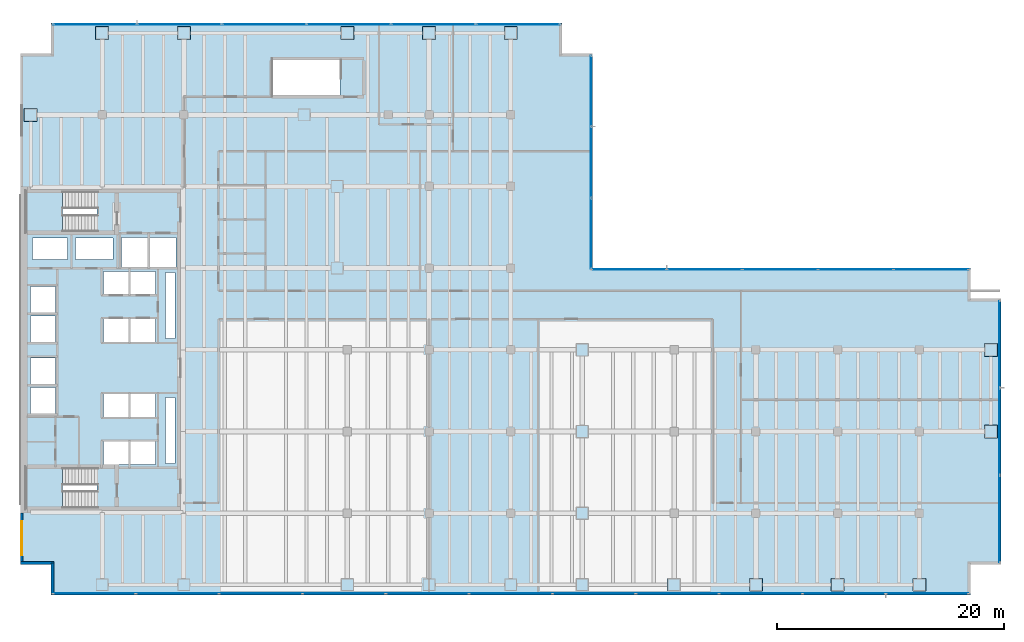
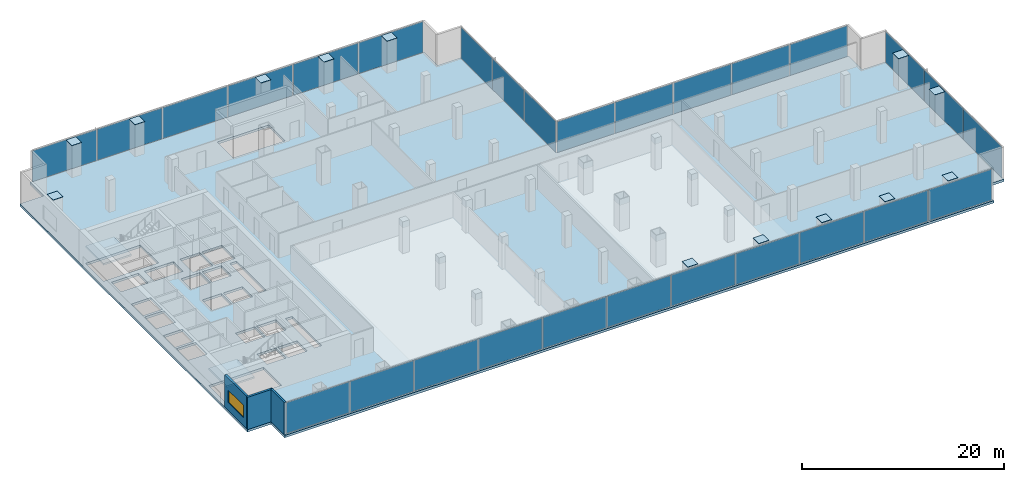
# One storey, part 21 of 32: 41 plates, 3 slabs, 3 walls, 1 window, 22 openings, 7 elements without a shape of their own.
"""IFC4 building model written with IfcOpenShell, lengths in metres."""

from ifc_helpers import new_model, si_unit, direction, frame, frame_2d, origin, origin_2d, place, context, subcontext, project, spatial, polyline, rectangle, outline, extrude, material, layer, layer_set, type_object, element, fill, aggregate, save


model = new_model("IFC4")

# Units and contexts
model_context = context("Model", 3, precision=1e-05, world=origin(), true_north=direction((0.0, 1.0)))
body_context = subcontext(model_context, "Body", "Model", "MODEL_VIEW")
ifc_project = project(units=[si_unit("LENGTHUNIT", "METRE"), si_unit("AREAUNIT", "SQUARE_METRE"), si_unit("VOLUMEUNIT", "CUBIC_METRE"), si_unit("PLANEANGLEUNIT", "RADIAN"), si_unit("MASSUNIT", "GRAM", prefix="KILO")], contexts=[model_context])

# Site, building, storey
site_placement = place(None, origin())
site = spatial("IfcSite", under=ifc_project, at=site_placement, CompositionType="ELEMENT")
building_placement = place(site_placement, origin())
building = spatial("IfcBuilding", under=site, at=building_placement, Name="Cobrela Telecom Tower", CompositionType="ELEMENT")
storey_placement = place(building_placement, frame((0.0, 0.0, 22.050048828125)))
storey = spatial("IfcBuildingStorey", under=building, at=storey_placement, Name="L05", CompositionType="ELEMENT", Elevation=22.050048828125)

# Curtain wall, plates
ifc_material_1 = material(Name="Anodized Bronze Aluminium 6063-T6", Category="aluminium")
curtain_wall_type = type_object("IfcCurtainWallType", Name="CW-SYS-CONC", PredefinedType="USERDEFINED", material=ifc_material_1)
curtain_wall_1_placement = place(storey_placement, origin())
curtain_wall_1 = element("IfcCurtainWall", 1, at=curtain_wall_1_placement, inside=storey, type_object=curtain_wall_type, Name="L05 Unitised Bronze Curtain Wall 07", ObjectType="UNITISED CURTAIN WALL", PredefinedType="USERDEFINED")
ifc_material_2 = material(Name="Solar-Control Bronze Low-E Glass", Category="glass")
ifc_layer_1 = layer(ifc_material_2, 0.0419921875)
ifc_layer_set_1 = layer_set([ifc_layer_1], Name="Solar-Control Bronze Low-E Glass")
plate_type_1 = type_object("IfcPlateType", Name="CW-SYS-CONC-PNL", PredefinedType="CURTAIN_PANEL", material=ifc_layer_set_1)
plate_1_placement = place(storey_placement, frame((6.570068359375, 50.280029296875, 0.080078125), z_axis=(0.0, 0.0, 1.0), x_axis=(1.0, 0.0, 0.0)))
plate_1 = element("IfcPlate", 2, at=plate_1_placement, type_object=plate_type_1, Name="CW-CONC panel 1.1", PredefinedType="CURTAIN_PANEL", context=body_context, shape_type="SweptSolid", body=[
    extrude(rectangle(XDim=7.340087890625, YDim=0.0419921875, at=origin_2d()), origin(), (0.0, 0.0, 1.0), 3.739990234375),
])
plate_2_placement = place(storey_placement, frame((14.010009765625, 50.280029296875, 0.080078125), z_axis=(0.0, 0.0, 1.0), x_axis=(1.0, 0.0, 0.0)))
plate_2 = element("IfcPlate", 3, at=plate_2_placement, type_object=plate_type_1, Name="CW-CONC panel 2.1", PredefinedType="CURTAIN_PANEL", context=body_context, shape_type="SweptSolid", body=[
    extrude(rectangle(XDim=7.3798828125, YDim=0.0419921875, at=origin_2d()), origin(), (0.0, 0.0, 1.0), 3.739990234375),
])
plate_3_placement = place(storey_placement, frame((21.469970703125, 50.280029296875, 0.080078125), z_axis=(0.0, 0.0, 1.0), x_axis=(1.0, 0.0, 0.0)))
plate_3 = element("IfcPlate", 4, at=plate_3_placement, type_object=plate_type_1, Name="CW-CONC panel 3.1", PredefinedType="CURTAIN_PANEL", context=body_context, shape_type="SweptSolid", body=[
    extrude(rectangle(XDim=7.3798828125, YDim=0.0419921875, at=origin_2d()), origin(), (0.0, 0.0, 1.0), 3.739990234375),
])
plate_4_placement = place(storey_placement, frame((28.929931640625, 50.280029296875, 0.080078125), z_axis=(0.0, 0.0, 1.0), x_axis=(1.0, 0.0, 0.0)))
plate_4 = element("IfcPlate", 5, at=plate_4_placement, type_object=plate_type_1, Name="CW-CONC panel 4.1", PredefinedType="CURTAIN_PANEL", context=body_context, shape_type="SweptSolid", body=[
    extrude(rectangle(XDim=7.3798828125, YDim=0.0419921875, at=origin_2d()), origin(), (0.0, 0.0, 1.0), 3.739990234375),
])
plate_5_placement = place(storey_placement, frame((36.389892578125, 50.280029296875, 0.080078125), z_axis=(0.0, 0.0, 1.0), x_axis=(1.0, 0.0, 0.0)))
plate_5 = element("IfcPlate", 6, at=plate_5_placement, type_object=plate_type_1, Name="CW-CONC panel 5.1", PredefinedType="CURTAIN_PANEL", context=body_context, shape_type="SweptSolid", body=[
    extrude(rectangle(XDim=7.3798828125, YDim=0.0419921875, at=origin_2d()), origin(), (0.0, 0.0, 1.0), 3.739990234375),
])
plate_6_placement = place(storey_placement, frame((43.830078125, 50.280029296875, 0.080078125), z_axis=(0.0, 0.0, 1.0), x_axis=(1.0, 0.0, 0.0)))
plate_6 = element("IfcPlate", 7, at=plate_6_placement, type_object=plate_type_1, Name="CW-CONC panel 6.1", PredefinedType="CURTAIN_PANEL", context=body_context, shape_type="SweptSolid", body=[
    extrude(rectangle(XDim=7.340087890625, YDim=0.0419921875, at=origin_2d()), origin(), (0.0, 0.0, 1.0), 3.739990234375),
])
aggregate(curtain_wall_1, [plate_1, plate_2, plate_3, plate_4, plate_5, plate_6])

curtain_wall_2_placement = place(storey_placement, origin())
curtain_wall_2 = element("IfcCurtainWall", 8, at=curtain_wall_2_placement, inside=storey, type_object=curtain_wall_type, Name="L05 Unitised Bronze Curtain Wall 10", ObjectType="UNITISED CURTAIN WALL", PredefinedType="USERDEFINED")
plate_7_placement = place(storey_placement, frame((50.280029296875, 44.409912109375, 0.080078125), z_axis=(0.0, 0.0, 1.0), x_axis=(0.0, -1.0, 0.0)))
plate_7 = element("IfcPlate", 9, at=plate_7_placement, type_object=plate_type_1, Name="CW-CONC panel 1.1", PredefinedType="CURTAIN_PANEL", context=body_context, shape_type="SweptSolid", body=[
    extrude(rectangle(XDim=6.179931640625, YDim=0.0419921875, at=origin_2d()), origin(), (0.0, 0.0, 1.0), 3.739990234375),
])
plate_8_placement = place(storey_placement, frame((50.280029296875, 38.1298828125, 0.080078125), z_axis=(0.0, 0.0, 1.0), x_axis=(0.0, -1.0, 0.0)))
plate_8 = element("IfcPlate", 10, at=plate_8_placement, type_object=plate_type_1, Name="CW-CONC panel 2.1", PredefinedType="CURTAIN_PANEL", context=body_context, shape_type="SweptSolid", body=[
    extrude(rectangle(XDim=6.219970703125, YDim=0.0419921875, at=origin_2d()), origin(), (0.0, 0.0, 1.0), 3.739990234375),
])
plate_9_placement = place(storey_placement, frame((50.280029296875, 31.85009765625, 0.080078125), z_axis=(0.0, 0.0, 1.0), x_axis=(0.0, -1.0, 0.0)))
plate_9 = element("IfcPlate", 11, at=plate_9_placement, type_object=plate_type_1, Name="CW-CONC panel 3.1", PredefinedType="CURTAIN_PANEL", context=body_context, shape_type="SweptSolid", body=[
    extrude(rectangle(XDim=6.179931640625, YDim=0.0419921875, at=origin_2d()), origin(), (0.0, 0.0, 1.0), 3.739990234375),
])
aggregate(curtain_wall_2, [plate_7, plate_8, plate_9])

curtain_wall_3_placement = place(storey_placement, origin())
curtain_wall_3 = element("IfcCurtainWall", 12, at=curtain_wall_3_placement, inside=storey, type_object=curtain_wall_type, Name="L05 Unitised Bronze Curtain Wall 11", ObjectType="UNITISED CURTAIN WALL", PredefinedType="USERDEFINED")
plate_10_placement = place(storey_placement, frame((53.6298828125, 28.679931640625, 0.080078125), z_axis=(0.0, 0.0, 1.0), x_axis=(1.0, 0.0, 0.0)))
plate_10 = element("IfcPlate", 13, at=plate_10_placement, type_object=plate_type_1, Name="CW-CONC panel 1.1", PredefinedType="CURTAIN_PANEL", context=body_context, shape_type="SweptSolid", body=[
    extrude(rectangle(XDim=6.5400390625, YDim=0.0419921875, at=origin_2d()), origin(), (0.0, 0.0, 1.0), 3.739990234375),
])
plate_11_placement = place(storey_placement, frame((60.27001953125, 28.679931640625, 0.080078125), z_axis=(0.0, 0.0, 1.0), x_axis=(1.0, 0.0, 0.0)))
plate_11 = element("IfcPlate", 14, at=plate_11_placement, type_object=plate_type_1, Name="CW-CONC panel 2.1", PredefinedType="CURTAIN_PANEL", context=body_context, shape_type="SweptSolid", body=[
    extrude(rectangle(XDim=6.580078125, YDim=0.0419921875, at=origin_2d()), origin(), (0.0, 0.0, 1.0), 3.739990234375),
])
plate_12_placement = place(storey_placement, frame((66.929931640625, 28.679931640625, 0.080078125), z_axis=(0.0, 0.0, 1.0), x_axis=(1.0, 0.0, 0.0)))
plate_12 = element("IfcPlate", 15, at=plate_12_placement, type_object=plate_type_1, Name="CW-CONC panel 3.1", PredefinedType="CURTAIN_PANEL", context=body_context, shape_type="SweptSolid", body=[
    extrude(rectangle(XDim=6.580078125, YDim=0.0419921875, at=origin_2d()), origin(), (0.0, 0.0, 1.0), 3.739990234375),
])
plate_13_placement = place(storey_placement, frame((73.590087890625, 28.679931640625, 0.080078125), z_axis=(0.0, 0.0, 1.0), x_axis=(1.0, 0.0, 0.0)))
plate_13 = element("IfcPlate", 16, at=plate_13_placement, type_object=plate_type_1, Name="CW-CONC panel 4.1", PredefinedType="CURTAIN_PANEL", context=body_context, shape_type="SweptSolid", body=[
    extrude(rectangle(XDim=6.580078125, YDim=0.0419921875, at=origin_2d()), origin(), (0.0, 0.0, 1.0), 3.739990234375),
])
plate_14_placement = place(storey_placement, frame((80.22998046875, 28.679931640625, 0.080078125), z_axis=(0.0, 0.0, 1.0), x_axis=(1.0, 0.0, 0.0)))
plate_14 = element("IfcPlate", 17, at=plate_14_placement, type_object=plate_type_1, Name="CW-CONC panel 5.1", PredefinedType="CURTAIN_PANEL", context=body_context, shape_type="SweptSolid", body=[
    extrude(rectangle(XDim=6.5400390625, YDim=0.0419921875, at=origin_2d()), origin(), (0.0, 0.0, 1.0), 3.739990234375),
])
aggregate(curtain_wall_3, [plate_10, plate_11, plate_12, plate_13, plate_14])

curtain_wall_4_placement = place(storey_placement, origin())
curtain_wall_4 = element("IfcCurtainWall", 18, at=curtain_wall_4_placement, inside=storey, type_object=curtain_wall_type, Name="L05 Unitised Bronze Curtain Wall 14", ObjectType="UNITISED CURTAIN WALL", PredefinedType="USERDEFINED")
plate_15_placement = place(storey_placement, frame((86.280029296875, 22.10009765625, 0.080078125), z_axis=(0.0, 0.0, 1.0), x_axis=(0.0, -1.0, 0.0)))
plate_15 = element("IfcPlate", 19, at=plate_15_placement, type_object=plate_type_1, Name="CW-CONC panel 1.1", PredefinedType="CURTAIN_PANEL", context=body_context, shape_type="SweptSolid", body=[
    extrude(rectangle(XDim=7.60009765625, YDim=0.0419921875, at=origin_2d()), origin(), (0.0, 0.0, 1.0), 3.739990234375),
])
plate_16_placement = place(storey_placement, frame((86.280029296875, 14.39990234375, 0.080078125), z_axis=(0.0, 0.0, 1.0), x_axis=(0.0, -1.0, 0.0)))
plate_16 = element("IfcPlate", 20, at=plate_16_placement, type_object=plate_type_1, Name="CW-CONC panel 2.1", PredefinedType="CURTAIN_PANEL", context=body_context, shape_type="SweptSolid", body=[
    extrude(rectangle(XDim=7.639892578125, YDim=0.0419921875, at=origin_2d()), origin(), (0.0, 0.0, 1.0), 3.739990234375),
])
plate_17_placement = place(storey_placement, frame((86.280029296875, 6.699951171875, 0.080078125), z_axis=(0.0, 0.0, 1.0), x_axis=(0.0, -1.0, 0.0)))
plate_17 = element("IfcPlate", 21, at=plate_17_placement, type_object=plate_type_1, Name="CW-CONC panel 3.1", PredefinedType="CURTAIN_PANEL", context=body_context, shape_type="SweptSolid", body=[
    extrude(rectangle(XDim=7.60009765625, YDim=0.0419921875, at=origin_2d()), origin(), (0.0, 0.0, 1.0), 3.739990234375),
])
aggregate(curtain_wall_4, [plate_15, plate_16, plate_17])

curtain_wall_5_placement = place(storey_placement, origin())
curtain_wall_5 = element("IfcCurtainWall", 22, at=curtain_wall_5_placement, inside=storey, type_object=curtain_wall_type, Name="L05 Unitised Bronze Curtain Wall 17", ObjectType="UNITISED CURTAIN WALL", PredefinedType="USERDEFINED")
plate_18_placement = place(storey_placement, frame((79.88916015625, 0.1201171875, 0.080078125), z_axis=(0.0, 0.0, 1.0), x_axis=(-1.0, 0.0, 0.0)))
plate_18 = element("IfcPlate", 23, at=plate_18_placement, type_object=plate_type_1, Name="CW-CONC panel 1.1", PredefinedType="CURTAIN_PANEL", context=body_context, shape_type="SweptSolid", body=[
    extrude(rectangle(XDim=7.221923828125, YDim=0.0419921875, at=origin_2d()), origin(), (0.0, 0.0, 1.0), 3.739990234375),
])
plate_19_placement = place(storey_placement, frame((72.5673828125, 0.1201171875, 0.080078125), z_axis=(0.0, 0.0, 1.0), x_axis=(-1.0, 0.0, 0.0)))
plate_19 = element("IfcPlate", 24, at=plate_19_placement, type_object=plate_type_1, Name="CW-CONC panel 2.1", PredefinedType="CURTAIN_PANEL", context=body_context, shape_type="SweptSolid", body=[
    extrude(rectangle(XDim=7.26171875, YDim=0.0419921875, at=origin_2d()), origin(), (0.0, 0.0, 1.0), 3.739990234375),
])
plate_20_placement = place(storey_placement, frame((65.225341796875, 0.1201171875, 0.080078125), z_axis=(0.0, 0.0, 1.0), x_axis=(-1.0, 0.0, 0.0)))
plate_20 = element("IfcPlate", 25, at=plate_20_placement, type_object=plate_type_1, Name="CW-CONC panel 3.1", PredefinedType="CURTAIN_PANEL", context=body_context, shape_type="SweptSolid", body=[
    extrude(rectangle(XDim=7.26171875, YDim=0.0419921875, at=origin_2d()), origin(), (0.0, 0.0, 1.0), 3.739990234375),
])
plate_21_placement = place(storey_placement, frame((57.883544921875, 0.1201171875, 0.080078125), z_axis=(0.0, 0.0, 1.0), x_axis=(-1.0, 0.0, 0.0)))
plate_21 = element("IfcPlate", 26, at=plate_21_placement, type_object=plate_type_1, Name="CW-CONC panel 4.1", PredefinedType="CURTAIN_PANEL", context=body_context, shape_type="SweptSolid", body=[
    extrude(rectangle(XDim=7.26171875, YDim=0.0419921875, at=origin_2d()), origin(), (0.0, 0.0, 1.0), 3.739990234375),
])
plate_22_placement = place(storey_placement, frame((50.541748046875, 0.1201171875, 0.080078125), z_axis=(0.0, 0.0, 1.0), x_axis=(-1.0, 0.0, 0.0)))
plate_22 = element("IfcPlate", 27, at=plate_22_placement, type_object=plate_type_1, Name="CW-CONC panel 5.1", PredefinedType="CURTAIN_PANEL", context=body_context, shape_type="SweptSolid", body=[
    extrude(rectangle(XDim=7.26171875, YDim=0.0419921875, at=origin_2d()), origin(), (0.0, 0.0, 1.0), 3.739990234375),
])
plate_23_placement = place(storey_placement, frame((43.199951171875, 0.1201171875, 0.080078125), z_axis=(0.0, 0.0, 1.0), x_axis=(-1.0, 0.0, 0.0)))
plate_23 = element("IfcPlate", 28, at=plate_23_placement, type_object=plate_type_1, Name="CW-CONC panel 6.1", PredefinedType="CURTAIN_PANEL", context=body_context, shape_type="SweptSolid", body=[
    extrude(rectangle(XDim=7.26171875, YDim=0.0419921875, at=origin_2d()), origin(), (0.0, 0.0, 1.0), 3.739990234375),
])
plate_24_placement = place(storey_placement, frame((35.858154296875, 0.1201171875, 0.080078125), z_axis=(0.0, 0.0, 1.0), x_axis=(-1.0, 0.0, 0.0)))
plate_24 = element("IfcPlate", 29, at=plate_24_placement, type_object=plate_type_1, Name="CW-CONC panel 7.1", PredefinedType="CURTAIN_PANEL", context=body_context, shape_type="SweptSolid", body=[
    extrude(rectangle(XDim=7.26171875, YDim=0.0419921875, at=origin_2d()), origin(), (0.0, 0.0, 1.0), 3.739990234375),
])
plate_25_placement = place(storey_placement, frame((28.516357421875, 0.1201171875, 0.080078125), z_axis=(0.0, 0.0, 1.0), x_axis=(-1.0, 0.0, 0.0)))
plate_25 = element("IfcPlate", 30, at=plate_25_placement, type_object=plate_type_1, Name="CW-CONC panel 8.1", PredefinedType="CURTAIN_PANEL", context=body_context, shape_type="SweptSolid", body=[
    extrude(rectangle(XDim=7.26171875, YDim=0.0419921875, at=origin_2d()), origin(), (0.0, 0.0, 1.0), 3.739990234375),
])
plate_26_placement = place(storey_placement, frame((21.174560546875, 0.1201171875, 0.080078125), z_axis=(0.0, 0.0, 1.0), x_axis=(-1.0, 0.0, 0.0)))
plate_26 = element("IfcPlate", 31, at=plate_26_placement, type_object=plate_type_1, Name="CW-CONC panel 9.1", PredefinedType="CURTAIN_PANEL", context=body_context, shape_type="SweptSolid", body=[
    extrude(rectangle(XDim=7.26171875, YDim=0.0419921875, at=origin_2d()), origin(), (0.0, 0.0, 1.0), 3.739990234375),
])
plate_27_placement = place(storey_placement, frame((13.832763671875, 0.1201171875, 0.080078125), z_axis=(0.0, 0.0, 1.0), x_axis=(-1.0, 0.0, 0.0)))
plate_27 = element("IfcPlate", 32, at=plate_27_placement, type_object=plate_type_1, Name="CW-CONC panel 10.1", PredefinedType="CURTAIN_PANEL", context=body_context, shape_type="SweptSolid", body=[
    extrude(rectangle(XDim=7.26171875, YDim=0.0419921875, at=origin_2d()), origin(), (0.0, 0.0, 1.0), 3.739990234375),
])
plate_28_placement = place(storey_placement, frame((6.510986328125, 0.1201171875, 0.080078125), z_axis=(0.0, 0.0, 1.0), x_axis=(-1.0, 0.0, 0.0)))
plate_28 = element("IfcPlate", 33, at=plate_28_placement, type_object=plate_type_1, Name="CW-CONC panel 11.1", PredefinedType="CURTAIN_PANEL", context=body_context, shape_type="SweptSolid", body=[
    extrude(rectangle(XDim=7.221923828125, YDim=0.0419921875, at=origin_2d()), origin(), (0.0, 0.0, 1.0), 3.739990234375),
])
aggregate(curtain_wall_5, [plate_18, plate_19, plate_20, plate_21, plate_22, plate_23, plate_24, plate_25, plate_26, plate_27, plate_28])

# Plates
ifc_material_3 = material(Name="Steel ASTM A572 Grade 50", Category="steel")
ifc_layer_2 = layer(ifc_material_3, 0.044921875)
ifc_layer_set_2 = layer_set([ifc_layer_2], Name="Steel ASTM A572 Grade 50")
plate_type_2 = type_object("IfcPlateType", Name="PLT-END-CAP-45", PredefinedType="SHEET", material=ifc_layer_set_2)
for number, where, z_axis, x_axis, name in (
    (34, (0.89990234375, 42.300048828125, 3.8974609375), (0.0, 0.0, 1.0), (1.0, 0.0, 0.0), "L05 Mega-Column Top End Cap Plate 2"),
    (35, (7.199951171875, 49.5, 3.8974609375), (0.0, 0.0, 1.0), (1.0, 0.0, 0.0), "L05 Mega-Column Top End Cap Plate 3"),
    (36, (14.39990234375, 49.5, 3.8974609375), (0.0, 0.0, 1.0), (1.0, 0.0, 0.0), "L05 Mega-Column Top End Cap Plate 4"),
    (37, (28.800048828125, 49.5, 3.8974609375), (0.0, 0.0, 1.0), (1.0, 0.0, 0.0), "L05 Mega-Column Top End Cap Plate 5"),
    (38, (36.0, 49.5, 3.8974609375), (0.0, 0.0, 1.0), (1.0, 0.0, 0.0), "L05 Mega-Column Top End Cap Plate 6"),
    (39, (43.199951171875, 49.5, 3.8974609375), (0.0, 0.0, 1.0), (1.0, 0.0, 0.0), "L05 Mega-Column Top End Cap Plate 7"),
    (40, (49.5, 0.89990234375, 3.8974609375), (0.0, 0.0, 1.0), (1.0, 0.0, 0.0), "L05 Mega-Column Top End Cap Plate 8"),
    (41, (57.60009765625, 0.89990234375, 3.8974609375), (0.0, 0.0, 1.0), (1.0, 0.0, 0.0), "L05 Mega-Column Top End Cap Plate 9"),
    (42, (64.800048828125, 0.89990234375, 3.8974609375), (0.0, 0.0, 1.0), (1.0, 0.0, 0.0), "L05 Mega-Column Top End Cap Plate 10"),
    (43, (72.0, 0.89990234375, 3.8974609375), (0.0, 0.0, 1.0), (1.0, 0.0, 0.0), "L05 Mega-Column Top End Cap Plate 11"),
    (44, (79.199951171875, 0.89990234375, 3.8974609375), (0.0, 0.0, 1.0), (1.0, 0.0, 0.0), "L05 Mega-Column Top End Cap Plate 12"),
    (45, (85.5, 14.39990234375, 3.8974609375), (0.0, 0.0, 1.0), (1.0, 0.0, 0.0), "L05 Mega-Column Top End Cap Plate 13"),
    (46, (85.5, 21.60009765625, 3.8974609375), (0.0, 0.0, 1.0), (1.0, 0.0, 0.0), "L05 Mega-Column Top End Cap Plate 14"),
):
    element("IfcPlate", number, at=place(storey_placement, frame(where, z_axis=z_axis, x_axis=x_axis)), inside=storey, type_object=plate_type_2, Name=name, PredefinedType="SHEET", context=body_context, shape_type="SweptSolid", body=[
        extrude(rectangle(XDim=1.139892578125, YDim=1.139892578125, at=origin_2d()), origin(), (0.0, 0.0, 1.0), 0.044921875),
    ])

# Slab, openings
ifc_material_4 = material(Name="Concrete C40/50", Category="concrete")
ifc_layer_3 = layer(ifc_material_4, 0.2900390625)
ifc_layer_set_3 = layer_set([ifc_layer_3], Name="Concrete C40/50")
slab_type_1 = type_object("IfcSlabType", Name="SLAB-FLR-290", PredefinedType="FLOOR", material=ifc_layer_set_3)
slab_1_placement = place(storey_placement, frame((0.0, 0.0, -0.2900390625)))
slab_1 = element("IfcSlab", 47, at=slab_1_placement, inside=storey, type_object=slab_type_1, Name="L05 Structural Floor Slab", PredefinedType="FLOOR", context=body_context, shape_type="SweptSolid", body=[
    extrude(outline(polyline([(2.699951171875, 0.0), (83.699951171875, 0.0), (83.699951171875, 2.699951171875), (86.39990234375, 2.699951171875), (86.39990234375, 26.10009765625), (83.699951171875, 26.10009765625), (83.699951171875, 28.800048828125), (50.39990234375, 28.800048828125), (50.39990234375, 47.699951171875), (47.699951171875, 47.699951171875), (47.699951171875, 50.39990234375), (2.699951171875, 50.39990234375), (2.699951171875, 47.699951171875), (0.0, 47.699951171875), (0.0, 2.699951171875), (2.699951171875, 2.699951171875), (2.699951171875, 0.0)])), origin(), (0.0, 0.0, 1.0), 0.2900390625),
])
opening_1_placement = place(slab_1_placement, frame((0.0, 0.0, -0.02001953125)))
element("IfcOpeningElement", 48, at=opening_1_placement, cuts=slab_1, Name="Slab Shaft Opening SLAB-L05-MAIN.1", PredefinedType="OPENING", context=body_context, shape_type="SweptSolid", body=[
    extrude(outline(polyline([(8.89990234375, 28.89990234375), (11.199951171875, 28.89990234375), (11.199951171875, 31.5), (8.89990234375, 31.5), (8.89990234375, 28.89990234375)])), origin(), (0.0, 0.0, 1.0), 0.330078125),
])
opening_2_placement = place(slab_1_placement, frame((0.0, 0.0, -0.02001953125)))
element("IfcOpeningElement", 49, at=opening_2_placement, cuts=slab_1, Name="Slab Shaft Opening SLAB-L05-MAIN.2", PredefinedType="OPENING", context=body_context, shape_type="SweptSolid", body=[
    extrude(outline(polyline([(11.39990234375, 28.89990234375), (13.699951171875, 28.89990234375), (13.699951171875, 31.5), (11.39990234375, 31.5), (11.39990234375, 28.89990234375)])), origin(), (0.0, 0.0, 1.0), 0.330078125),
])
opening_3_placement = place(slab_1_placement, frame((0.0, 0.0, -0.02001953125)))
element("IfcOpeningElement", 50, at=opening_3_placement, cuts=slab_1, Name="Slab Shaft Opening SLAB-L05-MAIN.3", PredefinedType="OPENING", context=body_context, shape_type="SweptSolid", body=[
    extrude(outline(polyline([(7.300048828125, 22.300048828125), (9.5, 22.300048828125), (9.5, 24.300048828125), (7.300048828125, 24.300048828125), (7.300048828125, 22.300048828125)])), origin(), (0.0, 0.0, 1.0), 0.330078125),
])
opening_4_placement = place(slab_1_placement, frame((0.0, 0.0, -0.02001953125)))
element("IfcOpeningElement", 51, at=opening_4_placement, cuts=slab_1, Name="Slab Shaft Opening SLAB-L05-MAIN.4", PredefinedType="OPENING", context=body_context, shape_type="SweptSolid", body=[
    extrude(outline(polyline([(9.699951171875, 22.300048828125), (11.89990234375, 22.300048828125), (11.89990234375, 24.300048828125), (9.699951171875, 24.300048828125), (9.699951171875, 22.300048828125)])), origin(), (0.0, 0.0, 1.0), 0.330078125),
])
opening_5_placement = place(slab_1_placement, frame((0.0, 0.0, -0.02001953125)))
element("IfcOpeningElement", 52, at=opening_5_placement, cuts=slab_1, Name="Slab Shaft Opening SLAB-L05-MAIN.5", PredefinedType="OPENING", context=body_context, shape_type="SweptSolid", body=[
    extrude(outline(polyline([(7.300048828125, 26.5), (9.5, 26.5), (9.5, 28.5), (7.300048828125, 28.5), (7.300048828125, 26.5)])), origin(), (0.0, 0.0, 1.0), 0.330078125),
])
opening_6_placement = place(slab_1_placement, frame((0.0, 0.0, -0.02001953125)))
element("IfcOpeningElement", 53, at=opening_6_placement, cuts=slab_1, Name="Slab Shaft Opening SLAB-L05-MAIN.6", PredefinedType="OPENING", context=body_context, shape_type="SweptSolid", body=[
    extrude(outline(polyline([(9.699951171875, 26.5), (11.89990234375, 26.5), (11.89990234375, 28.5), (9.699951171875, 28.5), (9.699951171875, 26.5)])), origin(), (0.0, 0.0, 1.0), 0.330078125),
])
opening_7_placement = place(slab_1_placement, frame((0.0, 0.0, -0.02001953125)))
element("IfcOpeningElement", 54, at=opening_7_placement, cuts=slab_1, Name="Slab Shaft Opening SLAB-L05-MAIN.7", PredefinedType="OPENING", context=body_context, shape_type="SweptSolid", body=[
    extrude(outline(polyline([(7.300048828125, 15.699951171875), (9.5, 15.699951171875), (9.5, 17.699951171875), (7.300048828125, 17.699951171875), (7.300048828125, 15.699951171875)])), origin(), (0.0, 0.0, 1.0), 0.330078125),
])
opening_8_placement = place(slab_1_placement, frame((0.0, 0.0, -0.02001953125)))
element("IfcOpeningElement", 55, at=opening_8_placement, cuts=slab_1, Name="Slab Shaft Opening SLAB-L05-MAIN.8", PredefinedType="OPENING", context=body_context, shape_type="SweptSolid", body=[
    extrude(outline(polyline([(9.699951171875, 15.699951171875), (11.89990234375, 15.699951171875), (11.89990234375, 17.699951171875), (9.699951171875, 17.699951171875), (9.699951171875, 15.699951171875)])), origin(), (0.0, 0.0, 1.0), 0.330078125),
])
opening_9_placement = place(slab_1_placement, frame((0.0, 0.0, -0.02001953125)))
element("IfcOpeningElement", 56, at=opening_9_placement, cuts=slab_1, Name="Slab Shaft Opening SLAB-L05-MAIN.9", PredefinedType="OPENING", context=body_context, shape_type="SweptSolid", body=[
    extrude(outline(polyline([(7.300048828125, 11.5), (9.5, 11.5), (9.5, 13.5), (7.300048828125, 13.5), (7.300048828125, 11.5)])), origin(), (0.0, 0.0, 1.0), 0.330078125),
])
opening_10_placement = place(slab_1_placement, frame((0.0, 0.0, -0.02001953125)))
element("IfcOpeningElement", 57, at=opening_10_placement, cuts=slab_1, Name="Slab Shaft Opening SLAB-L05-MAIN.10", PredefinedType="OPENING", context=body_context, shape_type="SweptSolid", body=[
    extrude(outline(polyline([(9.699951171875, 11.5), (11.89990234375, 11.5), (11.89990234375, 13.5), (9.699951171875, 13.5), (9.699951171875, 11.5)])), origin(), (0.0, 0.0, 1.0), 0.330078125),
])
opening_11_placement = place(slab_1_placement, frame((0.0, 0.0, -0.02001953125)))
element("IfcOpeningElement", 58, at=opening_11_placement, cuts=slab_1, Name="Slab Shaft Opening SLAB-L05-MAIN.11", PredefinedType="OPENING", context=body_context, shape_type="SweptSolid", body=[
    extrude(outline(polyline([(0.89990234375, 16.0), (3.10009765625, 16.0), (3.10009765625, 18.300048828125), (0.89990234375, 18.300048828125), (0.89990234375, 16.0)])), origin(), (0.0, 0.0, 1.0), 0.330078125),
])
opening_12_placement = place(slab_1_placement, frame((0.0, 0.0, -0.02001953125)))
element("IfcOpeningElement", 59, at=opening_12_placement, cuts=slab_1, Name="Slab Shaft Opening SLAB-L05-MAIN.12", PredefinedType="OPENING", context=body_context, shape_type="SweptSolid", body=[
    extrude(outline(polyline([(0.89990234375, 18.60009765625), (3.10009765625, 18.60009765625), (3.10009765625, 20.89990234375), (0.89990234375, 20.89990234375), (0.89990234375, 18.60009765625)])), origin(), (0.0, 0.0, 1.0), 0.330078125),
])
opening_13_placement = place(slab_1_placement, frame((0.0, 0.0, -0.02001953125)))
element("IfcOpeningElement", 60, at=opening_13_placement, cuts=slab_1, Name="Slab Shaft Opening SLAB-L05-MAIN.13", PredefinedType="OPENING", context=body_context, shape_type="SweptSolid", body=[
    extrude(outline(polyline([(0.89990234375, 22.300048828125), (3.10009765625, 22.300048828125), (3.10009765625, 24.60009765625), (0.89990234375, 24.60009765625), (0.89990234375, 22.300048828125)])), origin(), (0.0, 0.0, 1.0), 0.330078125),
])
opening_14_placement = place(slab_1_placement, frame((0.0, 0.0, -0.02001953125)))
element("IfcOpeningElement", 61, at=opening_14_placement, cuts=slab_1, Name="Slab Shaft Opening SLAB-L05-MAIN.14", PredefinedType="OPENING", context=body_context, shape_type="SweptSolid", body=[
    extrude(outline(polyline([(0.89990234375, 24.89990234375), (3.10009765625, 24.89990234375), (3.10009765625, 27.199951171875), (0.89990234375, 27.199951171875), (0.89990234375, 24.89990234375)])), origin(), (0.0, 0.0, 1.0), 0.330078125),
])
opening_15_placement = place(slab_1_placement, frame((0.0, 0.0, -0.02001953125)))
element("IfcOpeningElement", 62, at=opening_15_placement, cuts=slab_1, Name="Slab Shaft Opening SLAB-L05-MAIN.15", PredefinedType="OPENING", context=body_context, shape_type="SweptSolid", body=[
    extrude(outline(polyline([(1.050048828125, 29.550048828125), (4.14990234375, 29.550048828125), (4.14990234375, 31.449951171875), (1.050048828125, 31.449951171875), (1.050048828125, 29.550048828125)])), origin(), (0.0, 0.0, 1.0), 0.330078125),
])
opening_16_placement = place(slab_1_placement, frame((0.0, 0.0, -0.02001953125)))
element("IfcOpeningElement", 63, at=opening_16_placement, cuts=slab_1, Name="Slab Shaft Opening SLAB-L05-MAIN.16", PredefinedType="OPENING", context=body_context, shape_type="SweptSolid", body=[
    extrude(outline(polyline([(4.85009765625, 29.550048828125), (8.14990234375, 29.550048828125), (8.14990234375, 31.449951171875), (4.85009765625, 31.449951171875), (4.85009765625, 29.550048828125)])), origin(), (0.0, 0.0, 1.0), 0.330078125),
])
opening_17_placement = place(slab_1_placement, frame((0.0, 0.0, -0.02001953125)))
element("IfcOpeningElement", 64, at=opening_17_placement, cuts=slab_1, Name="Slab Shaft Opening SLAB-L05-MAIN.17", PredefinedType="OPENING", context=body_context, shape_type="SweptSolid", body=[
    extrude(outline(polyline([(12.800048828125, 22.60009765625), (13.60009765625, 22.60009765625), (13.60009765625, 28.39990234375), (12.800048828125, 28.39990234375), (12.800048828125, 22.60009765625)])), origin(), (0.0, 0.0, 1.0), 0.330078125),
])
opening_18_placement = place(slab_1_placement, frame((0.0, 0.0, -0.02001953125)))
element("IfcOpeningElement", 65, at=opening_18_placement, cuts=slab_1, Name="Slab Shaft Opening SLAB-L05-MAIN.18", PredefinedType="OPENING", context=body_context, shape_type="SweptSolid", body=[
    extrude(outline(polyline([(12.800048828125, 11.60009765625), (13.60009765625, 11.60009765625), (13.60009765625, 17.39990234375), (12.800048828125, 17.39990234375), (12.800048828125, 11.60009765625)])), origin(), (0.0, 0.0, 1.0), 0.330078125),
])
opening_19_placement = place(slab_1_placement, frame((0.0, 0.0, -0.02001953125)))
element("IfcOpeningElement", 66, at=opening_19_placement, cuts=slab_1, Name="Slab Shaft Opening SLAB-L05-MAIN.19", PredefinedType="OPENING", context=body_context, shape_type="SweptSolid", body=[
    extrude(outline(polyline([(6.7548828125, 35.550048828125), (0.47998046875, 35.550048828125), (0.47998046875, 32.0), (6.7548828125, 32.0), (6.7548828125, 35.550048828125)])), origin(), (0.0, 0.0, 1.0), 0.330078125),
])
opening_20_placement = place(slab_1_placement, frame((0.0, 0.0, -0.02001953125)))
element("IfcOpeningElement", 67, at=opening_20_placement, cuts=slab_1, Name="Slab Shaft Opening SLAB-L05-MAIN.20", PredefinedType="OPENING", context=body_context, shape_type="SweptSolid", body=[
    extrude(outline(polyline([(6.7548828125, 11.199951171875), (0.47998046875, 11.199951171875), (0.47998046875, 7.64990234375), (6.7548828125, 7.64990234375), (6.7548828125, 11.199951171875)])), origin(), (0.0, 0.0, 1.0), 0.330078125),
])
opening_21_placement = place(slab_1_placement, frame((0.0, 0.0, -0.02001953125)))
element("IfcOpeningElement", 68, at=opening_21_placement, cuts=slab_1, Name="Slab Shaft Opening SLAB-L05-MAIN.21", PredefinedType="OPENING", context=body_context, shape_type="SweptSolid", body=[
    extrude(outline(polyline([(28.135009765625, 47.14990234375), (22.199951171875, 47.14990234375), (22.199951171875, 44.0), (28.135009765625, 44.0), (28.135009765625, 47.14990234375)])), origin(), (0.0, 0.0, 1.0), 0.330078125),
])

# Stair, slab
stair_type = type_object("IfcStairType", Name="STAIR-CORE", PredefinedType="HALF_TURN_STAIR", material=ifc_material_4)
stair_1_placement = place(storey_placement, origin())
stair_1 = element("IfcStair", 69, at=stair_1_placement, inside=storey, type_object=stair_type, Name="L05 Smokeproof Exit Stair ST1", PredefinedType="HALF_TURN_STAIR")
ifc_layer_4 = layer(ifc_material_4, 0.199951171875)
ifc_layer_set_4 = layer_set([ifc_layer_4], Name="Concrete C40/50")
slab_type_2 = type_object("IfcSlabType", Name="SLAB-LAND-200", PredefinedType="LANDING", material=ifc_layer_set_4)
slab_2_placement = place(storey_placement, frame((0.0, 0.0, 1.89990234375)))
slab_2 = element("IfcSlab", 70, at=slab_2_placement, type_object=slab_type_2, Name="ST1 landing 1", PredefinedType="LANDING", context=body_context, shape_type="SweptSolid", body=[
    extrude(outline(polyline([(3.68505859375, 35.550048828125), (0.47998046875, 35.550048828125), (0.47998046875, 32.0), (3.68505859375, 32.0), (3.68505859375, 35.550048828125)])), origin(), (0.0, 0.0, 1.0), 0.199951171875),
])
aggregate(stair_1, [slab_2])

stair_2_placement = place(storey_placement, origin())
stair_2 = element("IfcStair", 71, at=stair_2_placement, inside=storey, type_object=stair_type, Name="L05 Smokeproof Exit Stair ST2", PredefinedType="HALF_TURN_STAIR")
slab_3_placement = place(storey_placement, frame((0.0, 0.0, 1.89990234375)))
slab_3 = element("IfcSlab", 72, at=slab_3_placement, type_object=slab_type_2, Name="ST2 landing 1", PredefinedType="LANDING", context=body_context, shape_type="SweptSolid", body=[
    extrude(outline(polyline([(3.68505859375, 11.199951171875), (0.47998046875, 11.199951171875), (0.47998046875, 7.64990234375), (3.68505859375, 7.64990234375), (3.68505859375, 11.199951171875)])), origin(), (0.0, 0.0, 1.0), 0.199951171875),
])
aggregate(stair_2, [slab_3])

# Walls
ifc_layer_5 = layer(ifc_material_4, 0.239990234375)
ifc_layer_set_5 = layer_set([ifc_layer_5], Name="Concrete C40/50")
wall_type = type_object("IfcWallType", Name="WALL-EXT-300", PredefinedType="STANDARD", material=ifc_layer_set_5)
wall_1_placement = place(storey_placement, frame((2.820068359375, 0.1201171875, 0.0), z_axis=(0.0, 0.0, 1.0), x_axis=(0.0, 1.0, 0.0)))
element("IfcWall", 73, at=wall_1_placement, inside=storey, type_object=wall_type, Name="L05 Insulated Facade Wall 01", PredefinedType="STANDARD", context=body_context, shape_type="SweptSolid", body=[
    extrude(rectangle(XDim=2.699951171875, YDim=0.239990234375, at=frame_2d((1.35009765625, 0.0))), origin(), (0.0, 0.0, 1.0), 3.89990234375),
])
wall_2_placement = place(storey_placement, frame((2.93994140625, 2.820068359375, 0.0), z_axis=(0.0, 0.0, 1.0), x_axis=(-1.0, 0.0, 0.0)))
element("IfcWall", 74, at=wall_2_placement, inside=storey, type_object=wall_type, Name="L05 Insulated Facade Wall 02", PredefinedType="STANDARD", context=body_context, shape_type="SweptSolid", body=[
    extrude(rectangle(XDim=2.93994140625, YDim=0.239990234375, at=frame_2d((1.469970703125, 0.0))), origin(), (0.0, 0.0, 1.0), 3.89990234375),
])

# Wall, opening, window
wall_3_placement = place(storey_placement, frame((0.1201171875, 2.820068359375, 0.0), z_axis=(0.0, 0.0, 1.0), x_axis=(0.0, 1.0, 0.0)))
wall_3 = element("IfcWall", 75, at=wall_3_placement, inside=storey, type_object=wall_type, Name="L05 Insulated Facade Wall 03", PredefinedType="STANDARD", context=body_context, shape_type="SweptSolid", body=[
    extrude(rectangle(XDim=4.3798828125, YDim=0.239990234375, at=frame_2d((2.18994140625, 0.0))), origin(), (0.0, 0.0, 1.0), 3.89990234375),
])
opening_22_placement = place(wall_3_placement, frame((0.68994140625, 0.0, 0.949951171875)))
opening_22 = element("IfcOpeningElement", 76, at=opening_22_placement, cuts=wall_3, Name="Opening WN-41", PredefinedType="OPENING", context=body_context, shape_type="SweptSolid", body=[
    extrude(rectangle(XDim=3.0, YDim=1.5, at=frame_2d((1.5, 0.75))), frame((0.0, 0.1318359375, 0.0), z_axis=(0.0, -1.0, 0.0), x_axis=(1.0, 0.0, 0.0)), (0.0, 0.0, 1.0), 0.263916015625),
])
window_type = type_object("IfcWindowType", Name="WIN-RIB-3000", PartitioningType="SINGLE_PANEL", PredefinedType="WINDOW", material=ifc_material_2)
window_placement = place(opening_22_placement, origin())
window = element("IfcWindow", 77, at=window_placement, inside=storey, type_object=window_type, Name="L05 Modular Punched Facade Window 028", OverallHeight=1.5, OverallWidth=3.0, PartitioningType="SINGLE_PANEL", PredefinedType="WINDOW", context=body_context, shape_type="SweptSolid", body=[
    extrude(rectangle(XDim=3.0, YDim=1.5, at=frame_2d((1.5, 0.75))), frame((0.0, 0.030029296875, 0.0), z_axis=(0.0, -1.0, 0.0), x_axis=(1.0, 0.0, 0.0)), (0.0, 0.0, 1.0), 0.06005859375),
])
fill(opening_22, window)

save(model, "model.ifc")
